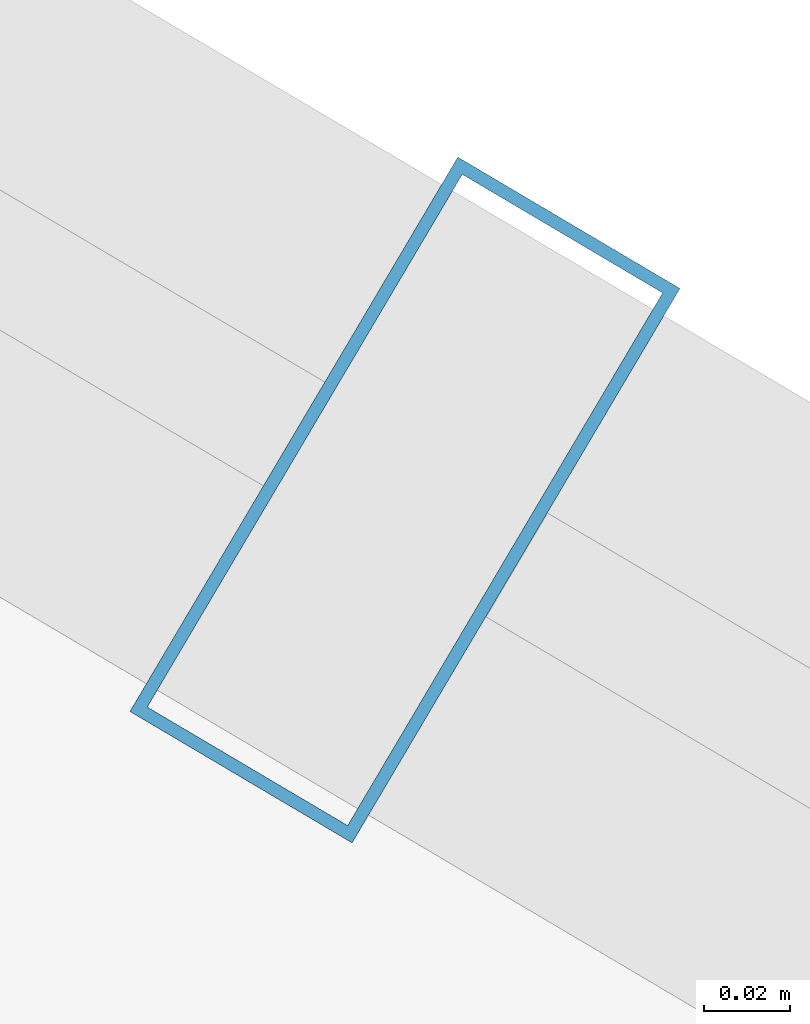
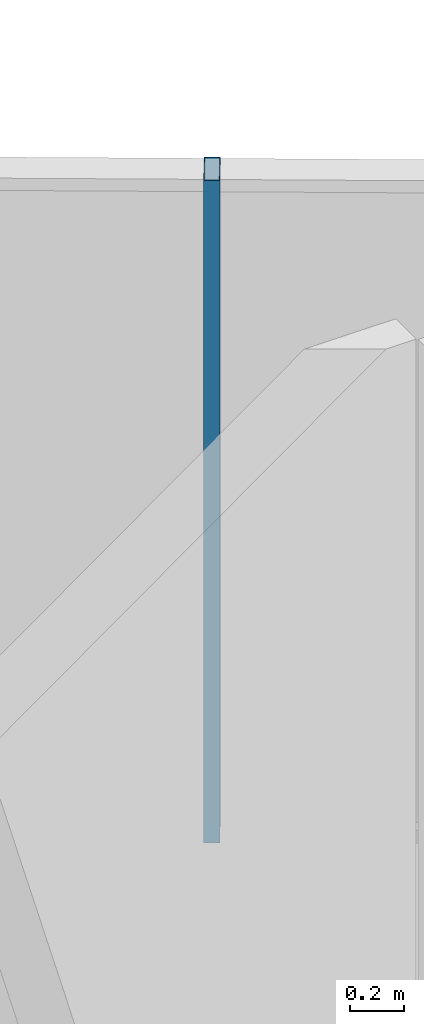
# One storey, part 22 of 30: 1 member, 1 element without a shape of its own.
"""IFC4 building model written with IfcOpenShell, lengths in metres."""

from ifc_helpers import new_model, si_unit, direction, frame, origin, origin_2d, place, context, subcontext, project, spatial, hollow_rectangle, extrude, source, transform, mapped, material, layer, layer_set, material_profile, profile_set, type_object, element, aggregate, save


model = new_model("IFC4")

# Units and contexts
model_context = context("Model", 3, precision=1e-05, world=origin(), true_north=direction((0.0, 1.0)))
body_context = subcontext(model_context, "Body", "Model", "MODEL_VIEW")
ifc_project = project(units=[si_unit("LENGTHUNIT", "METRE"), si_unit("AREAUNIT", "SQUARE_METRE"), si_unit("VOLUMEUNIT", "CUBIC_METRE"), si_unit("PLANEANGLEUNIT", "RADIAN"), si_unit("MASSUNIT", "GRAM", prefix="KILO")], contexts=[model_context])

# Site, building, storey
site_placement = place(None, origin())
site = spatial("IfcSite", under=ifc_project, at=site_placement, CompositionType="ELEMENT")
building_placement = place(site_placement, origin())
building = spatial("IfcBuilding", under=site, at=building_placement, Name="Veraguas Prism Commons", CompositionType="ELEMENT")
storey_placement = place(building_placement, frame((0.0, 0.0, 208.10009765625)))
storey = spatial("IfcBuildingStorey", under=building, at=storey_placement, Name="L59", CompositionType="ELEMENT", Elevation=208.10009765625)

# Curtain wall, member
ifc_material = material(Name="Anodised aluminium EN AW-6063 T6", Category="aluminium")
ifc_layer = layer(ifc_material, 0.14990234375, Name="Unitised Flush Curtain Wall Zone 3", Category="aluminium")
ifc_layer_set = layer_set([ifc_layer], Name="Anodised aluminium EN AW-6063 T6")
curtain_wall_type = type_object("IfcCurtainWallType", Name="Unitised Flush Curtain Wall Zone 3", PredefinedType="NOTDEFINED", material=ifc_layer_set)
curtain_wall_placement = place(storey_placement, origin())
curtain_wall = element("IfcCurtainWall", 1, at=curtain_wall_placement, inside=storey, type_object=curtain_wall_type, Name="Tower Facade Curtain Wall L59-F1", PredefinedType="NOTDEFINED")
ifc_material_profile = material_profile(ifc_material, hollow_rectangle(XDim=0.06005859375, YDim=0.14990234375, WallThickness=0.0029296875, at=origin_2d()), Name="AL60X150X3")
ifc_profile_set = profile_set([ifc_material_profile], Name="Anodised aluminium EN AW-6063 T6")
member_type = type_object("IfcMemberType", Name="Curtain Wall Mullion Upper AL 60x150x3", PredefinedType="MULLION", material=ifc_profile_set)
shared_shape = source(origin(), body_context, "Body", "SweptSolid", [
    extrude(hollow_rectangle(XDim=0.06005859375, YDim=0.14990234375, WallThickness=0.0029296875, at=origin_2d()), origin(), (0.0, 0.0, 1.0), 2.969970703125),
])
member_placement = place(storey_placement, frame((33.01513671875, 39.243896484375, 0.0), z_axis=(0.0, 0.0, 1.0), x_axis=(-0.860741138558, 0.509042918028, 0.0)))
member = element("IfcMember", 2, at=member_placement, type_object=member_type, Name="CW-Z3 Mullion 3", PredefinedType="MULLION", context=body_context, shape_type="MappedRepresentation", body=[
    mapped(shared_shape, transform((0.0, 0.0, 0.0), scale=1.0)),
])
aggregate(curtain_wall, [member])

save(model, "model.ifc")
